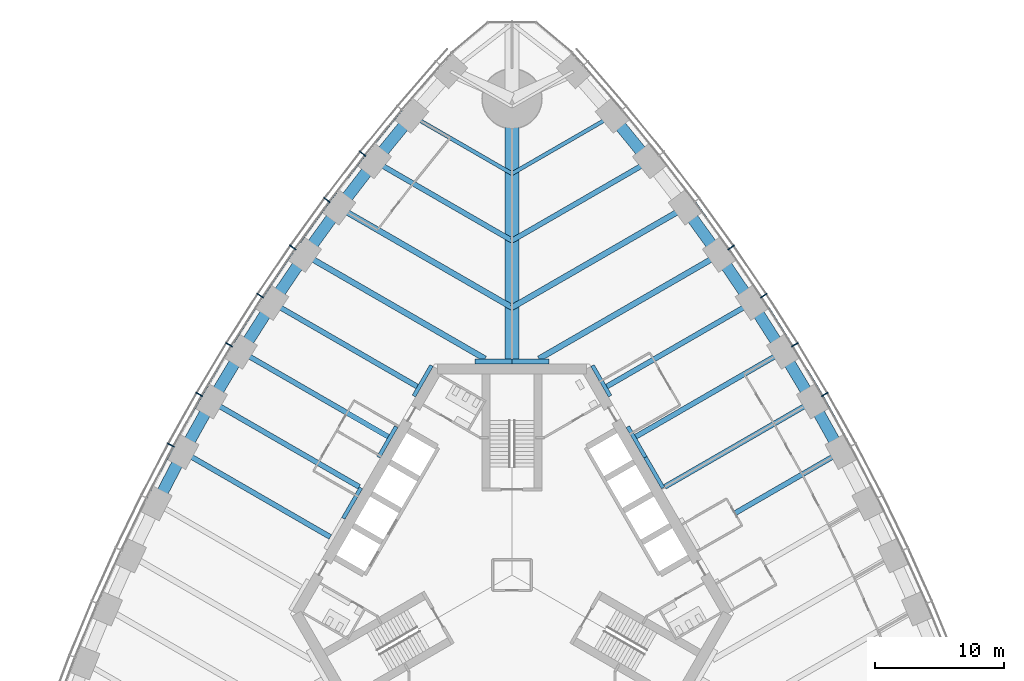
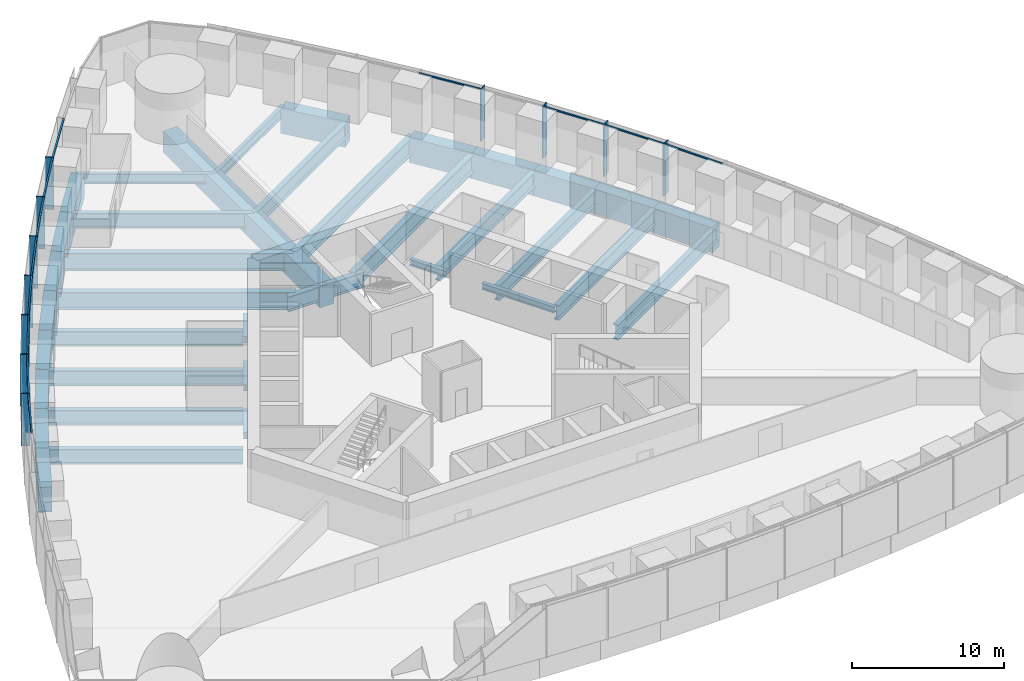
# One storey, part 4 of 19: 39 beams, 23 members, 2 elements without a shape of their own.
"""IFC4 building model written with IfcOpenShell, lengths in metres."""

from ifc_helpers import new_model, si_unit, direction, frame, origin, origin_2d, place, context, subcontext, project, spatial, rectangle, i_section, extrude, material, material_profile, profile_set, type_object, element, aggregate, save


model = new_model("IFC4")

# Units and contexts
model_context = context("Model", 3, precision=1e-05, world=origin(), true_north=direction((0.0, 1.0)))
body_context = subcontext(model_context, "Body", "Model", "MODEL_VIEW")
ifc_project = project(units=[si_unit("LENGTHUNIT", "METRE"), si_unit("AREAUNIT", "SQUARE_METRE"), si_unit("VOLUMEUNIT", "CUBIC_METRE"), si_unit("PLANEANGLEUNIT", "RADIAN"), si_unit("MASSUNIT", "GRAM", prefix="KILO")], contexts=[model_context])

# Site, building, storey
site_placement = place(None, origin())
site = spatial("IfcSite", under=ifc_project, at=site_placement, CompositionType="ELEMENT")
building_placement = place(site_placement, origin())
building = spatial("IfcBuilding", under=site, at=building_placement, Name="Trefoil Bronze Tower", CompositionType="ELEMENT")
storey_placement = place(building_placement, frame((0.0, 0.0, 83.699951171875)))
storey = spatial("IfcBuildingStorey", under=building, at=storey_placement, Name="L19", CompositionType="ELEMENT", Elevation=83.699951171875)

# Curtain wall, members
ifc_material_1 = material(Name="Tinted solar-control glass", Category="glass")
curtain_wall_type = type_object("IfcCurtainWallType", Name="Bronze office curtain wall", PredefinedType="USERDEFINED", material=ifc_material_1)
curtain_wall_1_placement = place(storey_placement, origin())
curtain_wall_1 = element("IfcCurtainWall", 1, at=curtain_wall_1_placement, inside=storey, type_object=curtain_wall_type, Name="CW-A L19 F2", ObjectType="CURTAIN WALL", PredefinedType="USERDEFINED")
ifc_material_2 = material(Name="Bronze-finish aluminium", Category="aluminium")
ifc_material_profile_1 = material_profile(ifc_material_2, rectangle(XDim=0.60009765625, YDim=0.080078125, at=origin_2d()), Name="CW-A mullion")
ifc_profile_set_1 = profile_set([ifc_material_profile_1], Name="Bronze-finish aluminium")
member_type_1 = type_object("IfcMemberType", Name="Bronze office curtain wall mullion", PredefinedType="MULLION", material=ifc_profile_set_1)
member_1_placement = place(storey_placement, frame((24.291015625, 14.0244140625, 0.0), z_axis=(0.0, 0.0, 1.0), x_axis=(-0.866025403784, -0.5, 0.0)))
member_1 = element("IfcMember", 2, at=member_1_placement, type_object=member_type_1, Name="CW-A L19 F2 mullion 9", PredefinedType="MULLION", context=body_context, shape_type="SweptSolid", body=[
    extrude(rectangle(XDim=0.60009765625, YDim=0.080078125, at=origin_2d()), origin(), (0.0, 0.0, 1.0), 4.179931640625),
])
member_2_placement = place(storey_placement, frame((21.97998046875, 17.896240234375, 0.0), z_axis=(0.0, 0.0, 1.0), x_axis=(-0.851149783004, -0.524922896141, 0.0)))
member_2 = element("IfcMember", 3, at=member_2_placement, type_object=member_type_1, Name="CW-A L19 F2 mullion 10", PredefinedType="MULLION", context=body_context, shape_type="SweptSolid", body=[
    extrude(rectangle(XDim=0.60009765625, YDim=0.080078125, at=origin_2d()), origin(), (0.0, 0.0, 1.0), 4.179931640625),
])
member_3_placement = place(storey_placement, frame((19.555419921875, 21.70263671875, 0.0), z_axis=(0.0, 0.0, 1.0), x_axis=(-0.835543651684, -0.549424067665, 0.0)))
member_3 = element("IfcMember", 4, at=member_3_placement, type_object=member_type_1, Name="CW-A L19 F2 mullion 11", PredefinedType="MULLION", context=body_context, shape_type="SweptSolid", body=[
    extrude(rectangle(XDim=0.60009765625, YDim=0.080078125, at=origin_2d()), origin(), (0.0, 0.0, 1.0), 4.179931640625),
])
member_4_placement = place(storey_placement, frame((17.01708984375, 25.443359375, 0.0), z_axis=(0.0, 0.0, 1.0), x_axis=(-0.819204207116, -0.573501932903, 0.0)))
member_4 = element("IfcMember", 5, at=member_4_placement, type_object=member_type_1, Name="CW-A L19 F2 mullion 12", PredefinedType="MULLION", context=body_context, shape_type="SweptSolid", body=[
    extrude(rectangle(XDim=0.60009765625, YDim=0.080078125, at=origin_2d()), origin(), (0.0, 0.0, 1.0), 4.179931640625),
])

curtain_wall_2_placement = place(storey_placement, origin())
curtain_wall_2 = element("IfcCurtainWall", 6, at=curtain_wall_2_placement, inside=storey, type_object=curtain_wall_type, Name="CW-A L19 F3", ObjectType="CURTAIN WALL", PredefinedType="USERDEFINED")
member_5_placement = place(storey_placement, frame((-11.595458984375, 32.7255859375, 0.0), z_axis=(0.0, 0.0, 1.0), x_axis=(0.784304615744, -0.620375910011, 0.0)))
member_5 = element("IfcMember", 7, at=member_5_placement, type_object=member_type_1, Name="CW-A L19 F3 mullion 4", PredefinedType="MULLION", context=body_context, shape_type="SweptSolid", body=[
    extrude(rectangle(XDim=0.60009765625, YDim=0.080078125, at=origin_2d()), origin(), (0.0, 0.0, 1.0), 4.179931640625),
])
member_6_placement = place(storey_placement, frame((-14.364013671875, 29.117919921875, 0.0), z_axis=(0.0, 0.0, 1.0), x_axis=(0.802126748469, -0.59715381552, 0.0)))
member_6 = element("IfcMember", 8, at=member_6_placement, type_object=member_type_1, Name="CW-A L19 F3 mullion 5", PredefinedType="MULLION", context=body_context, shape_type="SweptSolid", body=[
    extrude(rectangle(XDim=0.60009765625, YDim=0.080078125, at=origin_2d()), origin(), (0.0, 0.0, 1.0), 4.179931640625),
])
member_7_placement = place(storey_placement, frame((-17.01708984375, 25.443359375, 0.0), z_axis=(0.0, 0.0, 1.0), x_axis=(0.819204207116, -0.573501932903, 0.0)))
member_7 = element("IfcMember", 9, at=member_7_placement, type_object=member_type_1, Name="CW-A L19 F3 mullion 6", PredefinedType="MULLION", context=body_context, shape_type="SweptSolid", body=[
    extrude(rectangle(XDim=0.60009765625, YDim=0.080078125, at=origin_2d()), origin(), (0.0, 0.0, 1.0), 4.179931640625),
])
member_8_placement = place(storey_placement, frame((-19.555419921875, 21.70263671875, 0.0), z_axis=(0.0, 0.0, 1.0), x_axis=(0.835543651684, -0.549424067665, 0.0)))
member_8 = element("IfcMember", 10, at=member_8_placement, type_object=member_type_1, Name="CW-A L19 F3 mullion 7", PredefinedType="MULLION", context=body_context, shape_type="SweptSolid", body=[
    extrude(rectangle(XDim=0.60009765625, YDim=0.080078125, at=origin_2d()), origin(), (0.0, 0.0, 1.0), 4.179931640625),
])
member_9_placement = place(storey_placement, frame((-21.97998046875, 17.896240234375, 0.0), z_axis=(0.0, 0.0, 1.0), x_axis=(0.851149783004, -0.524922896141, 0.0)))
member_9 = element("IfcMember", 11, at=member_9_placement, type_object=member_type_1, Name="CW-A L19 F3 mullion 8", PredefinedType="MULLION", context=body_context, shape_type="SweptSolid", body=[
    extrude(rectangle(XDim=0.60009765625, YDim=0.080078125, at=origin_2d()), origin(), (0.0, 0.0, 1.0), 4.179931640625),
])
member_10_placement = place(storey_placement, frame((-24.291015625, 14.0244140625, 0.0), z_axis=(0.0, 0.0, 1.0), x_axis=(0.866025403784, -0.5, 0.0)))
member_10 = element("IfcMember", 12, at=member_10_placement, type_object=member_type_1, Name="CW-A L19 F3 mullion 9", PredefinedType="MULLION", context=body_context, shape_type="SweptSolid", body=[
    extrude(rectangle(XDim=0.60009765625, YDim=0.080078125, at=origin_2d()), origin(), (0.0, 0.0, 1.0), 4.179931640625),
])
member_11_placement = place(storey_placement, frame((-26.488525390625, 10.0869140625, 0.0), z_axis=(0.0, 0.0, 1.0), x_axis=(0.880171454588, -0.474655886437, 0.0)))
member_11 = element("IfcMember", 13, at=member_11_placement, type_object=member_type_1, Name="CW-A L19 F3 mullion 10", PredefinedType="MULLION", context=body_context, shape_type="SweptSolid", body=[
    extrude(rectangle(XDim=0.60009765625, YDim=0.080078125, at=origin_2d()), origin(), (0.0, 0.0, 1.0), 4.179931640625),
])

# Member
ifc_material_3 = material(Name="Bronze-finish aluminium", Category="aluminium")
ifc_material_profile_2 = material_profile(ifc_material_3, rectangle(XDim=0.1201171875, YDim=0.10009765625, at=origin_2d()), Name="CW-A transom")
ifc_profile_set_2 = profile_set([ifc_material_profile_2], Name="Bronze-finish aluminium")
member_type_2 = type_object("IfcMemberType", Name="Bronze office curtain wall transom", PredefinedType="USERDEFINED", material=ifc_profile_set_2)
member_12_placement = place(storey_placement, frame((26.29248046875, 10.0283203125, 4.130126953125), z_axis=(-0.487400435348, 0.873178570295, 0.0), x_axis=(-0.873178570295, -0.487400435348, 0.0)))
member_12 = element("IfcMember", 14, at=member_12_placement, type_object=member_type_2, Name="CW-A L19 F2 transom 8", ObjectType="TRANSOM", PredefinedType="USERDEFINED", context=body_context, shape_type="SweptSolid", body=[
    extrude(rectangle(XDim=0.1201171875, YDim=0.10009765625, at=origin_2d()), origin(), (0.0, 0.0, 1.0), 4.42041015625),
])

member_13_placement = place(storey_placement, frame((24.096435546875, 13.9599609375, 4.130126953125), z_axis=(-0.512536988879, 0.858665147209, 0.0), x_axis=(-0.858665147209, -0.512536988879, 0.0)))
member_13 = element("IfcMember", 15, at=member_13_placement, type_object=member_type_2, Name="CW-A L19 F2 transom 9", ObjectType="TRANSOM", PredefinedType="USERDEFINED", context=body_context, shape_type="SweptSolid", body=[
    extrude(rectangle(XDim=0.1201171875, YDim=0.10009765625, at=origin_2d()), origin(), (0.0, 0.0, 1.0), 4.42041015625),
])

member_14_placement = place(storey_placement, frame((21.787353515625, 17.826171875, 4.130126953125), z_axis=(-0.537196807268, 0.843456928515, 0.0), x_axis=(-0.843456928515, -0.537196807268, 0.0)))
member_14 = element("IfcMember", 16, at=member_14_placement, type_object=member_type_2, Name="CW-A L19 F2 transom 10", ObjectType="TRANSOM", PredefinedType="USERDEFINED", context=body_context, shape_type="SweptSolid", body=[
    extrude(rectangle(XDim=0.1201171875, YDim=0.10009765625, at=origin_2d()), origin(), (0.0, 0.0, 1.0), 4.42431640625),
])

member_15_placement = place(storey_placement, frame((16.828857421875, 25.3623046875, 4.130126953125), z_axis=(-0.585378207433, 0.81076035563, 0.0), x_axis=(-0.81076035563, -0.585378207433, 0.0)))
member_15 = element("IfcMember", 17, at=member_15_placement, type_object=member_type_2, Name="CW-A L19 F2 transom 12", ObjectType="TRANSOM", PredefinedType="USERDEFINED", context=body_context, shape_type="SweptSolid", body=[
    extrude(rectangle(XDim=0.1201171875, YDim=0.10009765625, at=origin_2d()), origin(), (0.0, 0.0, 1.0), 4.443359375),
])

aggregate(curtain_wall_1, [member_1, member_2, member_3, member_4, member_12, member_13, member_14, member_15])

member_16_placement = place(storey_placement, frame((-8.582763671875, 36.10498046875, 4.130126953125), z_axis=(-0.631835540201, -0.775102477185, 0.0), x_axis=(0.775102477185, -0.631835540201, 0.0)))
member_16 = element("IfcMember", 18, at=member_16_placement, type_object=member_type_2, Name="CW-A L19 F3 transom 3", ObjectType="TRANSOM", PredefinedType="USERDEFINED", context=body_context, shape_type="SweptSolid", body=[
    extrude(rectangle(XDim=0.1201171875, YDim=0.10009765625, at=origin_2d()), origin(), (0.0, 0.0, 1.0), 4.478271484375),
])

member_17_placement = place(storey_placement, frame((-11.4638671875, 32.568603515625, 4.130126953125), z_axis=(-0.608829203216, -0.793301330713, 0.0), x_axis=(0.793301330713, -0.608829203216, 0.0)))
member_17 = element("IfcMember", 19, at=member_17_placement, type_object=member_type_2, Name="CW-A L19 F3 transom 4", ObjectType="TRANSOM", PredefinedType="USERDEFINED", context=body_context, shape_type="SweptSolid", body=[
    extrude(rectangle(XDim=0.1201171875, YDim=0.10009765625, at=origin_2d()), origin(), (0.0, 0.0, 1.0), 4.458740234375),
])

member_18_placement = place(storey_placement, frame((-14.227783203125, 28.96484375, 4.130126953125), z_axis=(-0.585378207433, -0.81076035563, 0.0), x_axis=(0.81076035563, -0.585378207433, 0.0)))
member_18 = element("IfcMember", 20, at=member_18_placement, type_object=member_type_2, Name="CW-A L19 F3 transom 5", ObjectType="TRANSOM", PredefinedType="USERDEFINED", context=body_context, shape_type="SweptSolid", body=[
    extrude(rectangle(XDim=0.1201171875, YDim=0.10009765625, at=origin_2d()), origin(), (0.0, 0.0, 1.0), 4.443359375),
])

member_19_placement = place(storey_placement, frame((-16.87646484375, 25.29443359375, 4.130126953125), z_axis=(-0.561508153923, -0.827471203775, 0.0), x_axis=(0.827471203775, -0.561508153923, 0.0)))
member_19 = element("IfcMember", 21, at=member_19_placement, type_object=member_type_2, Name="CW-A L19 F3 transom 6", ObjectType="TRANSOM", PredefinedType="USERDEFINED", context=body_context, shape_type="SweptSolid", body=[
    extrude(rectangle(XDim=0.1201171875, YDim=0.10009765625, at=origin_2d()), origin(), (0.0, 0.0, 1.0), 4.431884765625),
])

member_20_placement = place(storey_placement, frame((-19.41064453125, 21.557861328125, 4.130126953125), z_axis=(-0.537196807268, -0.843456928515, 0.0), x_axis=(0.843456928515, -0.537196807268, 0.0)))
member_20 = element("IfcMember", 22, at=member_20_placement, type_object=member_type_2, Name="CW-A L19 F3 transom 7", ObjectType="TRANSOM", PredefinedType="USERDEFINED", context=body_context, shape_type="SweptSolid", body=[
    extrude(rectangle(XDim=0.1201171875, YDim=0.10009765625, at=origin_2d()), origin(), (0.0, 0.0, 1.0), 4.42431640625),
])

member_21_placement = place(storey_placement, frame((-21.830810546875, 17.755615234375, 4.130126953125), z_axis=(-0.512536988879, -0.858665147209, 0.0), x_axis=(0.858665147209, -0.512536988879, 0.0)))
member_21 = element("IfcMember", 23, at=member_21_placement, type_object=member_type_2, Name="CW-A L19 F3 transom 8", ObjectType="TRANSOM", PredefinedType="USERDEFINED", context=body_context, shape_type="SweptSolid", body=[
    extrude(rectangle(XDim=0.1201171875, YDim=0.10009765625, at=origin_2d()), origin(), (0.0, 0.0, 1.0), 4.42041015625),
])

member_22_placement = place(storey_placement, frame((-24.137939453125, 13.88818359375, 4.130126953125), z_axis=(-0.487400435348, -0.873178570295, 0.0), x_axis=(0.873178570295, -0.487400435348, 0.0)))
member_22 = element("IfcMember", 24, at=member_22_placement, type_object=member_type_2, Name="CW-A L19 F3 transom 9", ObjectType="TRANSOM", PredefinedType="USERDEFINED", context=body_context, shape_type="SweptSolid", body=[
    extrude(rectangle(XDim=0.1201171875, YDim=0.10009765625, at=origin_2d()), origin(), (0.0, 0.0, 1.0), 4.42041015625),
])

member_23_placement = place(storey_placement, frame((-26.331787109375, 9.955322265625, 4.130126953125), z_axis=(-0.461809621225, -0.886979071762, 0.0), x_axis=(0.886979071762, -0.461809621225, 0.0)))
member_23 = element("IfcMember", 25, at=member_23_placement, type_object=member_type_2, Name="CW-A L19 F3 transom 10", ObjectType="TRANSOM", PredefinedType="USERDEFINED", context=body_context, shape_type="SweptSolid", body=[
    extrude(rectangle(XDim=0.1201171875, YDim=0.10009765625, at=origin_2d()), origin(), (0.0, 0.0, 1.0), 4.42431640625),
])

aggregate(curtain_wall_2, [member_5, member_6, member_7, member_8, member_9, member_10, member_11, member_16, member_17, member_18, member_19, member_20, member_21, member_22, member_23])

# Beams
ifc_material_4 = material(Name="Steel C355", Category="steel")
ifc_material_profile_3 = material_profile(ifc_material_4, i_section(OverallWidth=0.300048828125, OverallDepth=0.5, WebThickness=0.014404296875, FlangeThickness=0.028076171875, FilletRadius=0.027099609375, at=origin_2d()), Name="HEB 500")
ifc_profile_set_3 = profile_set([ifc_material_profile_3], Name="Steel C355")
beam_type_1 = type_object("IfcBeamType", Name="Core seat beam HEB 500", PredefinedType="BEAM", material=ifc_profile_set_3)
for number, where, z_axis, x_axis, name in (
    (26, (11.734619140625, 6.77490234375, -0.449951171875), (-0.499969057507, 0.866043267704, 0.0), (-0.866043267704, -0.499969057507, 0.0), "Core seat beam F2/+0 L19"),
    (27, (10.363525390625, 9.14990234375, -0.449951171875), (-0.500035825175, 0.866004719122, 0.0), (-0.866004719122, -0.500035825175, 0.0), "Core seat beam F2/+1 L19"),
    (28, (7.62109375, 13.89990234375, -0.449951171875), (-0.500035825175, 0.866004719122, 0.0), (-0.866004719122, -0.500035825175, 0.0), "Core seat beam F2/+2 L19"),
    (29, (-6.249755859375, 16.27490234375, -0.449951171875), (-0.500035825175, -0.866004719122, 0.0), (0.866004719122, -0.500035825175, 0.0), "Core seat beam F3/-2 L19"),
    (30, (-8.9921875, 11.52490234375, -0.449951171875), (-0.500035825175, -0.866004719122, 0.0), (0.866004719122, -0.500035825175, 0.0), "Core seat beam F3/-1 L19"),
    (31, (-11.734619140625, 6.77490234375, -0.449951171875), (-0.500035825175, -0.866004719122, 0.0), (0.866004719122, -0.500035825175, 0.0), "Core seat beam F3/+0 L19"),
):
    element("IfcBeam", number, at=place(storey_placement, frame(where, z_axis=z_axis, x_axis=x_axis)), inside=storey, type_object=beam_type_1, Name=name, PredefinedType="BEAM", context=body_context, shape_type="SweptSolid", body=[
        extrude(i_section(OverallWidth=0.300048828125, OverallDepth=0.5, WebThickness=0.014404296875, FlangeThickness=0.028076171875, FilletRadius=0.027099609375, at=origin_2d()), origin(), (0.0, 0.0, 1.0), 2.742431640625),
    ])
ifc_material_5 = material(Name="Steel C355", Category="steel")
ifc_material_profile_4 = material_profile(ifc_material_5, i_section(OverallWidth=0.39990234375, OverallDepth=1.199951171875, WebThickness=0.02001953125, FlangeThickness=0.0400390625, FilletRadius=0.010009765625, at=origin_2d()), Name="WPG 1200")
ifc_profile_set_4 = profile_set([ifc_material_profile_4], Name="Steel C355")
beam_type_2 = type_object("IfcBeamType", Name="Core seat beam WPG 1200", PredefinedType="BEAM", material=ifc_profile_set_4)
for number, where, z_axis, x_axis, name in (
    (32, (2.88671875, 16.60009765625, -0.800048828125), (-1.0, 0.0, 0.0), (0.0, -1.0, 0.0), "Core seat beam F2/+3 L19"),
    (33, (0.0, 16.60009765625, -0.800048828125), (-1.0, 0.0, 0.0), (0.0, -1.0, 0.0), "Core seat beam F3/-3 L19"),
):
    element("IfcBeam", number, at=place(storey_placement, frame(where, z_axis=z_axis, x_axis=x_axis)), inside=storey, type_object=beam_type_2, Name=name, PredefinedType="BEAM", context=body_context, shape_type="SweptSolid", body=[
        extrude(i_section(OverallWidth=0.39990234375, OverallDepth=1.199951171875, WebThickness=0.02001953125, FlangeThickness=0.0400390625, FilletRadius=0.010009765625, at=origin_2d()), origin(), (0.0, 0.0, 1.0), 2.88671875),
    ])
ifc_material_6 = material(Name="Concrete B80", Category="concrete")
ifc_material_profile_5 = material_profile(ifc_material_6, rectangle(XDim=1.10009765625, YDim=1.699951171875, at=origin_2d()), Name="RC 1100x1700")
ifc_profile_set_5 = profile_set([ifc_material_profile_5], Name="Concrete B80")
beam_type_3 = type_object("IfcBeamType", Name="Corner girder RC 1100x1700", PredefinedType="BEAM", material=ifc_profile_set_5)
beam_1_placement = place(storey_placement, frame((0.0, 16.39990234375, -1.050048828125), z_axis=(0.0, 1.0, 0.0), x_axis=(-1.0, 0.0, 0.0)))
element("IfcBeam", 34, at=beam_1_placement, inside=storey, type_object=beam_type_3, Name="Corner girder K2 L19", PredefinedType="BEAM", context=body_context, shape_type="SweptSolid", body=[
    extrude(rectangle(XDim=1.10009765625, YDim=1.699951171875, at=origin_2d()), origin(), (0.0, 0.0, 1.0), 20.60009765625),
])
ifc_material_7 = material(Name="Steel C355", Category="steel")
ifc_material_profile_6 = material_profile(ifc_material_7, i_section(OverallWidth=0.300048828125, OverallDepth=0.800048828125, WebThickness=0.017578125, FlangeThickness=0.032958984375, FilletRadius=0.030029296875, at=origin_2d()), Name="HEB 800")
ifc_profile_set_6 = profile_set([ifc_material_profile_6], Name="Steel C355")
beam_type_4 = type_object("IfcBeamType", Name="Floor beam HEB 800", PredefinedType="BEAM", material=ifc_profile_set_6)
for number, where, z_axis, x_axis, name in (
    (35, (7.7763671875, 35.666748046875, -0.599853515625), (-0.866022587327, -0.500004878216, 0.0), (0.500004878216, -0.866022587327, 0.0), "Floor beam F2/+6 L19"),
    (36, (-7.7763671875, 35.666748046875, -0.599853515625), (0.866022587327, -0.500004878216, 0.0), (0.500004878216, 0.866022587327, 0.0), "Floor beam F3/-6 L19"),
):
    element("IfcBeam", number, at=place(storey_placement, frame(where, z_axis=z_axis, x_axis=x_axis)), inside=storey, type_object=beam_type_4, Name=name, PredefinedType="BEAM", context=body_context, shape_type="SweptSolid", body=[
        extrude(i_section(OverallWidth=0.300048828125, OverallDepth=0.800048828125, WebThickness=0.017578125, FlangeThickness=0.032958984375, FilletRadius=0.030029296875, at=origin_2d()), origin(), (0.0, 0.0, 1.0), 8.9794921875),
    ])
ifc_material_8 = material(Name="Steel C355", Category="steel")
ifc_material_profile_7 = material_profile(ifc_material_8, i_section(OverallWidth=0.39990234375, OverallDepth=1.199951171875, WebThickness=0.02001953125, FlangeThickness=0.0400390625, FilletRadius=0.010009765625, at=origin_2d()), Name="WPG 1200")
ifc_profile_set_7 = profile_set([ifc_material_profile_7], Name="Steel C355")
beam_type_5 = type_object("IfcBeamType", Name="Floor beam WPG 1200", PredefinedType="BEAM", material=ifc_profile_set_7)
beam_2_placement = place(storey_placement, frame((25.531494140625, 9.54443359375, -0.800048828125), z_axis=(-0.866027071639, -0.499997111179, 0.0), x_axis=(0.499997111179, -0.866027071639, 0.0)))
element("IfcBeam", 37, at=beam_2_placement, inside=storey, type_object=beam_type_5, Name="Floor beam F2/-1 L19", PredefinedType="BEAM", context=body_context, shape_type="SweptSolid", body=[
    extrude(i_section(OverallWidth=0.39990234375, OverallDepth=1.199951171875, WebThickness=0.02001953125, FlangeThickness=0.0400390625, FilletRadius=0.010009765625, at=origin_2d()), origin(), (0.0, 0.0, 1.0), 13.18310546875),
])
beam_3_placement = place(storey_placement, frame((23.33837890625, 13.474365234375, -0.800048828125), z_axis=(-0.866031233401, -0.499989902672, 0.0), x_axis=(0.499989902672, -0.866031233401, 0.0)))
element("IfcBeam", 38, at=beam_3_placement, inside=storey, type_object=beam_type_5, Name="Floor beam F2/+0 L19", PredefinedType="BEAM", context=body_context, shape_type="SweptSolid", body=[
    extrude(i_section(OverallWidth=0.39990234375, OverallDepth=1.199951171875, WebThickness=0.02001953125, FlangeThickness=0.0400390625, FilletRadius=0.010009765625, at=origin_2d()), origin(), (0.0, 0.0, 1.0), 13.248779296875),
])
beam_4_placement = place(storey_placement, frame((21.031494140625, 17.338623046875, -0.800048828125), z_axis=(-0.866027071639, -0.499997111179, 0.0), x_axis=(0.499997111179, -0.866027071639, 0.0)))
element("IfcBeam", 39, at=beam_4_placement, inside=storey, type_object=beam_type_5, Name="Floor beam F2/+1 L19", PredefinedType="BEAM", context=body_context, shape_type="SweptSolid", body=[
    extrude(i_section(OverallWidth=0.39990234375, OverallDepth=1.199951171875, WebThickness=0.02001953125, FlangeThickness=0.0400390625, FilletRadius=0.010009765625, at=origin_2d()), origin(), (0.0, 0.0, 1.0), 13.18310546875),
])
beam_5_placement = place(storey_placement, frame((18.61083984375, 21.13720703125, -0.800048828125), z_axis=(-0.866030615021, -0.499990973765, 0.0), x_axis=(0.499990973765, -0.866030615021, 0.0)))
element("IfcBeam", 40, at=beam_5_placement, inside=storey, type_object=beam_type_5, Name="Floor beam F2/+2 L19", PredefinedType="BEAM", context=body_context, shape_type="SweptSolid", body=[
    extrude(i_section(OverallWidth=0.39990234375, OverallDepth=1.199951171875, WebThickness=0.02001953125, FlangeThickness=0.0400390625, FilletRadius=0.010009765625, at=origin_2d()), origin(), (0.0, 0.0, 1.0), 12.986083984375),
])
for number, where, z_axis, x_axis, name in (
    (41, (10.659912109375, 32.13525390625, -0.800048828125), (-0.866024070878, -0.500002308654, 0.0), (0.500002308654, -0.866024070878, 0.0), "Floor beam F2/+5 L19"),
    (42, (-10.659912109375, 32.13525390625, -0.800048828125), (0.866024070878, -0.500002308654, 0.0), (0.500002308654, 0.866024070878, 0.0), "Floor beam F3/-5 L19"),
):
    element("IfcBeam", number, at=place(storey_placement, frame(where, z_axis=z_axis, x_axis=x_axis)), inside=storey, type_object=beam_type_5, Name=name, PredefinedType="BEAM", context=body_context, shape_type="SweptSolid", body=[
        extrude(i_section(OverallWidth=0.39990234375, OverallDepth=1.199951171875, WebThickness=0.02001953125, FlangeThickness=0.0400390625, FilletRadius=0.010009765625, at=origin_2d()), origin(), (0.0, 0.0, 1.0), 12.30908203125),
    ])
beam_6_placement = place(storey_placement, frame((-18.61083984375, 21.13720703125, -0.800048828125), z_axis=(0.866030615021, -0.499990973765, 0.0), x_axis=(0.499990973765, 0.866030615021, 0.0)))
element("IfcBeam", 43, at=beam_6_placement, inside=storey, type_object=beam_type_5, Name="Floor beam F3/-2 L19", PredefinedType="BEAM", context=body_context, shape_type="SweptSolid", body=[
    extrude(i_section(OverallWidth=0.39990234375, OverallDepth=1.199951171875, WebThickness=0.02001953125, FlangeThickness=0.0400390625, FilletRadius=0.010009765625, at=origin_2d()), origin(), (0.0, 0.0, 1.0), 12.986083984375),
])
beam_7_placement = place(storey_placement, frame((-21.031494140625, 17.338623046875, -0.800048828125), z_axis=(0.866027071639, -0.499997111179, 0.0), x_axis=(0.499997111179, 0.866027071639, 0.0)))
element("IfcBeam", 44, at=beam_7_placement, inside=storey, type_object=beam_type_5, Name="Floor beam F3/-1 L19", PredefinedType="BEAM", context=body_context, shape_type="SweptSolid", body=[
    extrude(i_section(OverallWidth=0.39990234375, OverallDepth=1.199951171875, WebThickness=0.02001953125, FlangeThickness=0.0400390625, FilletRadius=0.010009765625, at=origin_2d()), origin(), (0.0, 0.0, 1.0), 13.18310546875),
])
beam_8_placement = place(storey_placement, frame((-23.33837890625, 13.474365234375, -0.800048828125), z_axis=(0.866031233401, -0.499989902672, 0.0), x_axis=(0.499989902672, 0.866031233401, 0.0)))
element("IfcBeam", 45, at=beam_8_placement, inside=storey, type_object=beam_type_5, Name="Floor beam F3/+0 L19", PredefinedType="BEAM", context=body_context, shape_type="SweptSolid", body=[
    extrude(i_section(OverallWidth=0.39990234375, OverallDepth=1.199951171875, WebThickness=0.02001953125, FlangeThickness=0.0400390625, FilletRadius=0.010009765625, at=origin_2d()), origin(), (0.0, 0.0, 1.0), 13.248779296875),
])
beam_9_placement = place(storey_placement, frame((-25.531494140625, 9.54443359375, -0.800048828125), z_axis=(0.866027071639, -0.499997111179, 0.0), x_axis=(0.499997111179, 0.866027071639, 0.0)))
element("IfcBeam", 46, at=beam_9_placement, inside=storey, type_object=beam_type_5, Name="Floor beam F3/+1 L19", PredefinedType="BEAM", context=body_context, shape_type="SweptSolid", body=[
    extrude(i_section(OverallWidth=0.39990234375, OverallDepth=1.199951171875, WebThickness=0.02001953125, FlangeThickness=0.0400390625, FilletRadius=0.010009765625, at=origin_2d()), origin(), (0.0, 0.0, 1.0), 13.18310546875),
])
ifc_material_9 = material(Name="Steel C355", Category="steel")
ifc_material_profile_8 = material_profile(ifc_material_9, i_section(OverallWidth=0.449951171875, OverallDepth=1.39990234375, WebThickness=0.02294921875, FlangeThickness=0.044921875, FilletRadius=0.011962890625, at=origin_2d()), Name="WPG 1400")
ifc_profile_set_8 = profile_set([ifc_material_profile_8], Name="Steel C355")
beam_type_6 = type_object("IfcBeamType", Name="Floor beam WPG 1400", PredefinedType="BEAM", material=ifc_profile_set_8)
beam_10_placement = place(storey_placement, frame((16.075927734375, 24.869873046875, -0.89990234375), z_axis=(-0.866028401131, -0.499994808408, 0.0), x_axis=(0.499994808408, -0.866028401131, 0.0)))
element("IfcBeam", 47, at=beam_10_placement, inside=storey, type_object=beam_type_6, Name="Floor beam F2/+3 L19", PredefinedType="BEAM", context=body_context, shape_type="SweptSolid", body=[
    extrude(i_section(OverallWidth=0.449951171875, OverallDepth=1.39990234375, WebThickness=0.02294921875, FlangeThickness=0.044921875, FilletRadius=0.011962890625, at=origin_2d()), origin(), (0.0, 0.0, 1.0), 16.139892578125),
])
for number, where, z_axis, x_axis, name in (
    (48, (13.42578125, 28.5361328125, -0.89990234375), (-0.866022989816, -0.500004181093, 0.0), (0.500004181093, -0.866022989816, 0.0), "Floor beam F2/+4 L19"),
    (49, (-13.42578125, 28.5361328125, -0.89990234375), (0.866022989816, -0.500004181093, 0.0), (0.500004181093, 0.866022989816, 0.0), "Floor beam F3/-4 L19"),
):
    element("IfcBeam", number, at=place(storey_placement, frame(where, z_axis=z_axis, x_axis=x_axis)), inside=storey, type_object=beam_type_6, Name=name, PredefinedType="BEAM", context=body_context, shape_type="SweptSolid", body=[
        extrude(i_section(OverallWidth=0.449951171875, OverallDepth=1.39990234375, WebThickness=0.02294921875, FlangeThickness=0.044921875, FilletRadius=0.011962890625, at=origin_2d()), origin(), (0.0, 0.0, 1.0), 15.502685546875),
    ])
beam_11_placement = place(storey_placement, frame((-16.075927734375, 24.869873046875, -0.89990234375), z_axis=(0.866028401131, -0.499994808408, 0.0), x_axis=(0.499994808408, 0.866028401131, 0.0)))
element("IfcBeam", 50, at=beam_11_placement, inside=storey, type_object=beam_type_6, Name="Floor beam F3/-3 L19", PredefinedType="BEAM", context=body_context, shape_type="SweptSolid", body=[
    extrude(i_section(OverallWidth=0.449951171875, OverallDepth=1.39990234375, WebThickness=0.02294921875, FlangeThickness=0.044921875, FilletRadius=0.011962890625, at=origin_2d()), origin(), (0.0, 0.0, 1.0), 16.139892578125),
])
ifc_material_10 = material(Name="Concrete B80", Category="concrete")
ifc_material_profile_9 = material_profile(ifc_material_10, rectangle(XDim=0.89990234375, YDim=2.0, at=origin_2d()), Name="RC 900x2000")
ifc_profile_set_9 = profile_set([ifc_material_profile_9], Name="Concrete B80")
beam_type_7 = type_object("IfcBeamType", Name="Spandrel beam RC 900x2000", PredefinedType="SPANDREL", material=ifc_profile_set_9)
for number, where, z_axis, x_axis, name in (
    (51, (25.531494140625, 9.54443359375, -1.199951171875), (-0.487309404804, 0.873229376504, 0.0), (-0.873229376504, -0.487309404804, 0.0), "Spandrel F2.8 L19"),
    (52, (23.33837890625, 13.474365234375, -1.199951171875), (-0.512587831591, 0.858634797166, 0.0), (-0.858634797166, -0.512587831591, 0.0), "Spandrel F2.9 L19"),
):
    element("IfcBeam", number, at=place(storey_placement, frame(where, z_axis=z_axis, x_axis=x_axis)), inside=storey, type_object=beam_type_7, Name=name, PredefinedType="SPANDREL", context=body_context, shape_type="SweptSolid", body=[
        extrude(rectangle(XDim=0.89990234375, YDim=2.0, at=origin_2d()), origin(), (0.0, 0.0, 1.0), 4.50048828125),
    ])
beam_12_placement = place(storey_placement, frame((21.031494140625, 17.338623046875, -1.199951171875), z_axis=(-0.537408473305, 0.843322081307, 0.0), x_axis=(-0.843322081307, -0.537408473305, 0.0)))
element("IfcBeam", 53, at=beam_12_placement, inside=storey, type_object=beam_type_7, Name="Spandrel F2.10 L19", PredefinedType="SPANDREL", context=body_context, shape_type="SweptSolid", body=[
    extrude(rectangle(XDim=0.89990234375, YDim=2.0, at=origin_2d()), origin(), (0.0, 0.0, 1.0), 4.50439453125),
])
beam_13_placement = place(storey_placement, frame((18.61083984375, 21.13720703125, -1.199951171875), z_axis=(-0.561809680291, 0.827266512758, 0.0), x_axis=(-0.827266512758, -0.561809680291, 0.0)))
element("IfcBeam", 54, at=beam_13_placement, inside=storey, type_object=beam_type_7, Name="Spandrel F2.11 L19", PredefinedType="SPANDREL", context=body_context, shape_type="SweptSolid", body=[
    extrude(rectangle(XDim=0.89990234375, YDim=2.0, at=origin_2d()), origin(), (0.0, 0.0, 1.0), 4.511962890625),
])
beam_14_placement = place(storey_placement, frame((16.075927734375, 24.869873046875, -1.199951171875), z_axis=(-0.585823508301, 0.810438657223, 0.0), x_axis=(-0.810438657223, -0.585823508301, 0.0)))
element("IfcBeam", 55, at=beam_14_placement, inside=storey, type_object=beam_type_7, Name="Spandrel F2.12 L19", PredefinedType="SPANDREL", context=body_context, shape_type="SweptSolid", body=[
    extrude(rectangle(XDim=0.89990234375, YDim=2.0, at=origin_2d()), origin(), (0.0, 0.0, 1.0), 4.523681640625),
])
for number, where, z_axis, x_axis, name in (
    (56, (10.659912109375, 32.13525390625, -1.199951171875), (-0.632467643363, 0.774586780225, 0.0), (-0.774586780225, -0.632467643363, 0.0), "Spandrel F2.14 L19"),
    (57, (-7.7763671875, 35.666748046875, -1.199951171875), (-0.632467643363, -0.774586780225, 0.0), (0.774586780225, -0.632467643363, 0.0), "Spandrel F3.3 L19"),
):
    element("IfcBeam", number, at=place(storey_placement, frame(where, z_axis=z_axis, x_axis=x_axis)), inside=storey, type_object=beam_type_7, Name=name, PredefinedType="SPANDREL", context=body_context, shape_type="SweptSolid", body=[
        extrude(rectangle(XDim=0.89990234375, YDim=2.0, at=origin_2d()), origin(), (0.0, 0.0, 1.0), 4.55908203125),
    ])
beam_15_placement = place(storey_placement, frame((-10.659912109375, 32.13525390625, -1.199951171875), z_axis=(-0.609338992146, -0.792909826305, 0.0), x_axis=(0.792909826305, -0.609338992146, 0.0)))
element("IfcBeam", 58, at=beam_15_placement, inside=storey, type_object=beam_type_7, Name="Spandrel F3.4 L19", PredefinedType="SPANDREL", context=body_context, shape_type="SweptSolid", body=[
    extrude(rectangle(XDim=0.89990234375, YDim=2.0, at=origin_2d()), origin(), (0.0, 0.0, 1.0), 4.5390625),
])
beam_16_placement = place(storey_placement, frame((-13.42578125, 28.5361328125, -1.199951171875), z_axis=(-0.585823508301, -0.810438657223, 0.0), x_axis=(0.810438657223, -0.585823508301, 0.0)))
element("IfcBeam", 59, at=beam_16_placement, inside=storey, type_object=beam_type_7, Name="Spandrel F3.5 L19", PredefinedType="SPANDREL", context=body_context, shape_type="SweptSolid", body=[
    extrude(rectangle(XDim=0.89990234375, YDim=2.0, at=origin_2d()), origin(), (0.0, 0.0, 1.0), 4.523681640625),
])
beam_17_placement = place(storey_placement, frame((-16.075927734375, 24.869873046875, -1.199951171875), z_axis=(-0.561809680291, -0.827266512758, 0.0), x_axis=(0.827266512758, -0.561809680291, 0.0)))
element("IfcBeam", 60, at=beam_17_placement, inside=storey, type_object=beam_type_7, Name="Spandrel F3.6 L19", PredefinedType="SPANDREL", context=body_context, shape_type="SweptSolid", body=[
    extrude(rectangle(XDim=0.89990234375, YDim=2.0, at=origin_2d()), origin(), (0.0, 0.0, 1.0), 4.511962890625),
])
beam_18_placement = place(storey_placement, frame((-18.61083984375, 21.13720703125, -1.199951171875), z_axis=(-0.537408473305, -0.843322081307, 0.0), x_axis=(0.843322081307, -0.537408473305, 0.0)))
element("IfcBeam", 61, at=beam_18_placement, inside=storey, type_object=beam_type_7, Name="Spandrel F3.7 L19", PredefinedType="SPANDREL", context=body_context, shape_type="SweptSolid", body=[
    extrude(rectangle(XDim=0.89990234375, YDim=2.0, at=origin_2d()), origin(), (0.0, 0.0, 1.0), 4.50439453125),
])
for number, where, z_axis, x_axis, name in (
    (62, (-21.031494140625, 17.338623046875, -1.199951171875), (-0.512587831591, -0.858634797166, 0.0), (0.858634797166, -0.512587831591, 0.0), "Spandrel F3.8 L19"),
    (63, (-23.33837890625, 13.474365234375, -1.199951171875), (-0.487309404804, -0.873229376504, 0.0), (0.873229376504, -0.487309404804, 0.0), "Spandrel F3.9 L19"),
):
    element("IfcBeam", number, at=place(storey_placement, frame(where, z_axis=z_axis, x_axis=x_axis)), inside=storey, type_object=beam_type_7, Name=name, PredefinedType="SPANDREL", context=body_context, shape_type="SweptSolid", body=[
        extrude(rectangle(XDim=0.89990234375, YDim=2.0, at=origin_2d()), origin(), (0.0, 0.0, 1.0), 4.50048828125),
    ])
beam_19_placement = place(storey_placement, frame((-25.531494140625, 9.54443359375, -1.199951171875), z_axis=(-0.461637716615, -0.887068553495, 0.0), x_axis=(0.887068553495, -0.461637716615, 0.0)))
element("IfcBeam", 64, at=beam_19_placement, inside=storey, type_object=beam_type_7, Name="Spandrel F3.10 L19", PredefinedType="SPANDREL", context=body_context, shape_type="SweptSolid", body=[
    extrude(rectangle(XDim=0.89990234375, YDim=2.0, at=origin_2d()), origin(), (0.0, 0.0, 1.0), 4.50439453125),
])

save(model, "model.ifc")
